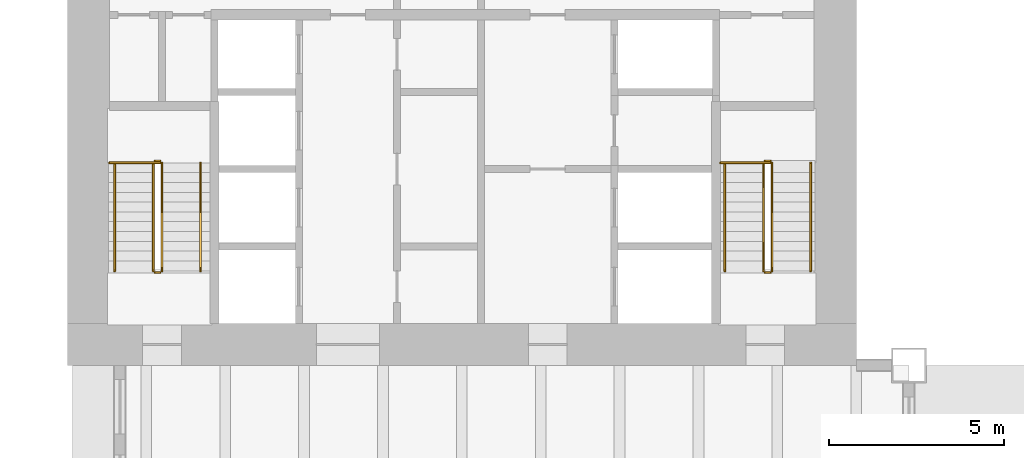
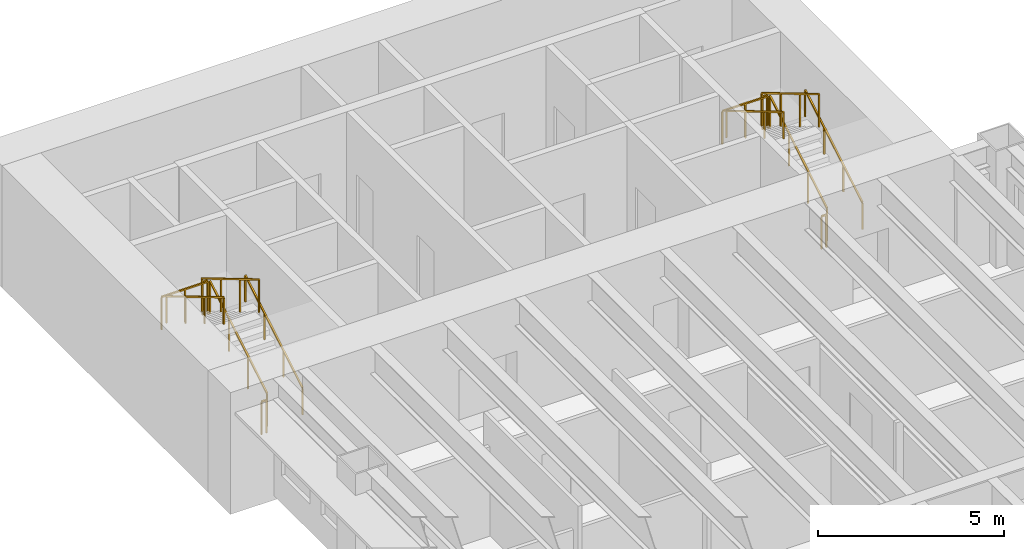
# One storey, part 16 of 16: 14 railings.
"""IFC4 building model written with IfcOpenShell, lengths in metres."""

from ifc_helpers import new_model, si_unit, direction, frame, origin, origin_2d, place, context, subcontext, project, spatial, rectangle, extrude, material, type_object, element, save


model = new_model("IFC4")

# Units and contexts
model_context = context("Model", 3, precision=1e-05, world=origin(), true_north=direction((0.0, 1.0)))
body_context = subcontext(model_context, "Body", "Model", "MODEL_VIEW")
ifc_project = project(units=[si_unit("LENGTHUNIT", "METRE"), si_unit("AREAUNIT", "SQUARE_METRE"), si_unit("VOLUMEUNIT", "CUBIC_METRE"), si_unit("PLANEANGLEUNIT", "RADIAN"), si_unit("MASSUNIT", "GRAM", prefix="KILO")], contexts=[model_context])

# Site, building, storey
site_placement = place(None, origin())
site = spatial("IfcSite", under=ifc_project, at=site_placement, CompositionType="ELEMENT")
building_placement = place(site_placement, origin())
building = spatial("IfcBuilding", under=site, at=building_placement, Name="Sennacour Bend Tower", CompositionType="ELEMENT")
storey_placement = place(building_placement, frame((0.0, 0.0, 95.0)))
storey = spatial("IfcBuildingStorey", under=building, at=storey_placement, Name="L21", CompositionType="ELEMENT", Elevation=95.0)

# Railings
ifc_material = material(Name="Stainless steel", Category="steel")
railing_type_1 = type_object("IfcRailingType", Name="RL-GUARD-1100", PredefinedType="GUARDRAIL", material=ifc_material)
railing_1_placement = place(storey_placement, frame((2.699951171875, 38.699951171875, 0.166748046875)))
element("IfcRailing", 1, at=railing_1_placement, inside=storey, type_object=railing_type_1, Name="L21 SB1 stair guard 1", PredefinedType="GUARDRAIL", context=body_context, shape_type="SweptSolid", body=[
    extrude(rectangle(XDim=0.048095703125, YDim=0.048095703125, at=origin_2d()), frame((0.0, 0.0, 1.076171875), z_axis=(0.0, 0.859308565015, 0.511457515432), x_axis=(-1.0, 0.0, 0.0)), (0.0, 0.0, 1.0), 3.58447265625),
    extrude(rectangle(XDim=0.0419921875, YDim=0.0419921875, at=origin_2d()), origin(), (0.0, 0.0, 1.0), 1.052001953125),
    extrude(rectangle(XDim=0.0419921875, YDim=0.0419921875, at=origin_2d()), frame((0.0, 1.026611328125, 0.611083984375)), (0.0, 0.0, 1.0), 1.052001953125),
    extrude(rectangle(XDim=0.0419921875, YDim=0.0419921875, at=origin_2d()), frame((0.0, 2.053466796875, 1.22216796875)), (0.0, 0.0, 1.0), 1.052001953125),
    extrude(rectangle(XDim=0.0419921875, YDim=0.0419921875, at=origin_2d()), frame((0.0, 3.080078125, 1.833251953125)), (0.0, 0.0, 1.0), 1.052001953125),
])
railing_2_placement = place(storey_placement, frame((2.64990234375, 41.830078125, 2.0)))
element("IfcRailing", 2, at=railing_2_placement, inside=storey, type_object=railing_type_1, Name="L21 SB1 stair guard 2", PredefinedType="GUARDRAIL", context=body_context, shape_type="SweptSolid", body=[
    extrude(rectangle(XDim=0.048095703125, YDim=0.048095703125, at=origin_2d()), frame((0.0, 0.0, 1.076171875), z_axis=(-1.0, 0.0, 0.0), x_axis=(0.0, -1.0, 0.0)), (0.0, 0.0, 1.0), 0.14990234375),
    extrude(rectangle(XDim=0.0419921875, YDim=0.0419921875, at=origin_2d()), origin(), (0.0, 0.0, 1.0), 1.052001953125),
    extrude(rectangle(XDim=0.0419921875, YDim=0.0419921875, at=origin_2d()), frame((-0.14990234375, 0.0, 0.0)), (0.0, 0.0, 1.0), 1.052001953125),
])
railing_3_placement = place(storey_placement, frame((2.449951171875, 41.780029296875, 2.166748046875)))
element("IfcRailing", 3, at=railing_3_placement, inside=storey, type_object=railing_type_1, Name="L21 SB1 stair guard 4", PredefinedType="GUARDRAIL", context=body_context, shape_type="SweptSolid", body=[
    extrude(rectangle(XDim=0.048095703125, YDim=0.048095703125, at=origin_2d()), frame((0.0, 0.0, 1.076171875), z_axis=(0.0, -0.859308565015, 0.511457515432), x_axis=(1.0, 0.0, 0.0)), (0.0, 0.0, 1.0), 3.58447265625),
    extrude(rectangle(XDim=0.0419921875, YDim=0.0419921875, at=origin_2d()), origin(), (0.0, 0.0, 1.0), 1.052001953125),
    extrude(rectangle(XDim=0.0419921875, YDim=0.0419921875, at=origin_2d()), frame((0.0, -1.026611328125, 0.611083984375)), (0.0, 0.0, 1.0), 1.052001953125),
    extrude(rectangle(XDim=0.0419921875, YDim=0.0419921875, at=origin_2d()), frame((0.0, -2.053466796875, 1.22216796875)), (0.0, 0.0, 1.0), 1.052001953125),
    extrude(rectangle(XDim=0.0419921875, YDim=0.0419921875, at=origin_2d()), frame((0.0, -3.080078125, 1.833251953125)), (0.0, 0.0, 1.0), 1.052001953125),
])
railing_4_placement = place(storey_placement, frame((2.64990234375, 38.64990234375, 0.0)))
element("IfcRailing", 4, at=railing_4_placement, inside=storey, type_object=railing_type_1, Name="L21 SB1 stair guard 5", PredefinedType="GUARDRAIL", context=body_context, shape_type="SweptSolid", body=[
    extrude(rectangle(XDim=0.048095703125, YDim=0.048095703125, at=origin_2d()), frame((0.0, 0.0, 1.076171875), z_axis=(-1.0, 0.0, 0.0), x_axis=(0.0, -1.0, 0.0)), (0.0, 0.0, 1.0), 0.14990234375),
    extrude(rectangle(XDim=0.0419921875, YDim=0.0419921875, at=origin_2d()), origin(), (0.0, 0.0, 1.0), 1.052001953125),
    extrude(rectangle(XDim=0.0419921875, YDim=0.0419921875, at=origin_2d()), frame((-0.14990234375, 0.0, 0.0)), (0.0, 0.0, 1.0), 1.052001953125),
])
railing_5_placement = place(storey_placement, frame((2.64990234375, 41.780029296875, 2.0)))
element("IfcRailing", 5, at=railing_5_placement, inside=storey, type_object=railing_type_1, Name="L21 SB1 landing edge guard 44", PredefinedType="GUARDRAIL", context=body_context, shape_type="SweptSolid", body=[
    extrude(rectangle(XDim=0.048095703125, YDim=0.048095703125, at=origin_2d()), frame((0.0, 0.0, 1.076171875), z_axis=(-1.0, 0.0, 0.0), x_axis=(0.0, -1.0, 0.0)), (0.0, 0.0, 1.0), 1.449951171875),
    extrude(rectangle(XDim=0.0419921875, YDim=0.0419921875, at=origin_2d()), origin(), (0.0, 0.0, 1.0), 1.052001953125),
    extrude(rectangle(XDim=0.0419921875, YDim=0.0419921875, at=origin_2d()), frame((-0.72509765625, 0.0, 0.0)), (0.0, 0.0, 1.0), 1.052001953125),
    extrude(rectangle(XDim=0.0419921875, YDim=0.0419921875, at=origin_2d()), frame((-1.449951171875, 0.0, 0.0)), (0.0, 0.0, 1.0), 1.052001953125),
])
railing_6_placement = place(storey_placement, frame((20.10009765625, 38.699951171875, 0.166748046875)))
element("IfcRailing", 6, at=railing_6_placement, inside=storey, type_object=railing_type_1, Name="L21 SB2 stair guard 1", PredefinedType="GUARDRAIL", context=body_context, shape_type="SweptSolid", body=[
    extrude(rectangle(XDim=0.048095703125, YDim=0.048095703125, at=origin_2d()), frame((0.0, 0.0, 1.076171875), z_axis=(0.0, 0.859308565015, 0.511457515432), x_axis=(-1.0, 0.0, 0.0)), (0.0, 0.0, 1.0), 3.58447265625),
    extrude(rectangle(XDim=0.0419921875, YDim=0.0419921875, at=origin_2d()), origin(), (0.0, 0.0, 1.0), 1.052001953125),
    extrude(rectangle(XDim=0.0419921875, YDim=0.0419921875, at=origin_2d()), frame((0.0, 1.026611328125, 0.611083984375)), (0.0, 0.0, 1.0), 1.052001953125),
    extrude(rectangle(XDim=0.0419921875, YDim=0.0419921875, at=origin_2d()), frame((0.0, 2.053466796875, 1.22216796875)), (0.0, 0.0, 1.0), 1.052001953125),
    extrude(rectangle(XDim=0.0419921875, YDim=0.0419921875, at=origin_2d()), frame((0.0, 3.080078125, 1.833251953125)), (0.0, 0.0, 1.0), 1.052001953125),
])
railing_7_placement = place(storey_placement, frame((20.050048828125, 41.830078125, 2.0)))
element("IfcRailing", 7, at=railing_7_placement, inside=storey, type_object=railing_type_1, Name="L21 SB2 stair guard 2", PredefinedType="GUARDRAIL", context=body_context, shape_type="SweptSolid", body=[
    extrude(rectangle(XDim=0.048095703125, YDim=0.048095703125, at=origin_2d()), frame((0.0, 0.0, 1.076171875), z_axis=(-1.0, 0.0, 0.0), x_axis=(0.0, -1.0, 0.0)), (0.0, 0.0, 1.0), 0.150146484375),
    extrude(rectangle(XDim=0.0419921875, YDim=0.0419921875, at=origin_2d()), origin(), (0.0, 0.0, 1.0), 1.052001953125),
    extrude(rectangle(XDim=0.0419921875, YDim=0.0419921875, at=origin_2d()), frame((-0.150146484375, 0.0, 0.0)), (0.0, 0.0, 1.0), 1.052001953125),
])
railing_8_placement = place(storey_placement, frame((19.85009765625, 41.780029296875, 2.166748046875)))
element("IfcRailing", 8, at=railing_8_placement, inside=storey, type_object=railing_type_1, Name="L21 SB2 stair guard 4", PredefinedType="GUARDRAIL", context=body_context, shape_type="SweptSolid", body=[
    extrude(rectangle(XDim=0.048095703125, YDim=0.048095703125, at=origin_2d()), frame((0.0, 0.0, 1.076171875), z_axis=(0.0, -0.859308565015, 0.511457515432), x_axis=(1.0, 0.0, 0.0)), (0.0, 0.0, 1.0), 3.58447265625),
    extrude(rectangle(XDim=0.0419921875, YDim=0.0419921875, at=origin_2d()), origin(), (0.0, 0.0, 1.0), 1.052001953125),
    extrude(rectangle(XDim=0.0419921875, YDim=0.0419921875, at=origin_2d()), frame((0.0, -1.026611328125, 0.611083984375)), (0.0, 0.0, 1.0), 1.052001953125),
    extrude(rectangle(XDim=0.0419921875, YDim=0.0419921875, at=origin_2d()), frame((0.0, -2.053466796875, 1.22216796875)), (0.0, 0.0, 1.0), 1.052001953125),
    extrude(rectangle(XDim=0.0419921875, YDim=0.0419921875, at=origin_2d()), frame((0.0, -3.080078125, 1.833251953125)), (0.0, 0.0, 1.0), 1.052001953125),
])
railing_9_placement = place(storey_placement, frame((20.050048828125, 38.64990234375, 0.0)))
element("IfcRailing", 9, at=railing_9_placement, inside=storey, type_object=railing_type_1, Name="L21 SB2 stair guard 5", PredefinedType="GUARDRAIL", context=body_context, shape_type="SweptSolid", body=[
    extrude(rectangle(XDim=0.048095703125, YDim=0.048095703125, at=origin_2d()), frame((0.0, 0.0, 1.076171875), z_axis=(-1.0, 0.0, 0.0), x_axis=(0.0, -1.0, 0.0)), (0.0, 0.0, 1.0), 0.150146484375),
    extrude(rectangle(XDim=0.0419921875, YDim=0.0419921875, at=origin_2d()), origin(), (0.0, 0.0, 1.0), 1.052001953125),
    extrude(rectangle(XDim=0.0419921875, YDim=0.0419921875, at=origin_2d()), frame((-0.150146484375, 0.0, 0.0)), (0.0, 0.0, 1.0), 1.052001953125),
])
railing_10_placement = place(storey_placement, frame((20.050048828125, 41.780029296875, 2.0)))
element("IfcRailing", 10, at=railing_10_placement, inside=storey, type_object=railing_type_1, Name="L21 SB2 landing edge guard 34", PredefinedType="GUARDRAIL", context=body_context, shape_type="SweptSolid", body=[
    extrude(rectangle(XDim=0.048095703125, YDim=0.048095703125, at=origin_2d()), frame((0.0, 0.0, 1.076171875), z_axis=(-1.0, 0.0, 0.0), x_axis=(0.0, -1.0, 0.0)), (0.0, 0.0, 1.0), 1.425048828125),
    extrude(rectangle(XDim=0.0419921875, YDim=0.0419921875, at=origin_2d()), origin(), (0.0, 0.0, 1.0), 1.052001953125),
    extrude(rectangle(XDim=0.0419921875, YDim=0.0419921875, at=origin_2d()), frame((-0.71240234375, 0.0, 0.0)), (0.0, 0.0, 1.0), 1.052001953125),
    extrude(rectangle(XDim=0.0419921875, YDim=0.0419921875, at=origin_2d()), frame((-1.425048828125, 0.0, 0.0)), (0.0, 0.0, 1.0), 1.052001953125),
])
railing_type_2 = type_object("IfcRailingType", Name="RL-HANDRAIL-900", PredefinedType="HANDRAIL", material=ifc_material)
railing_11_placement = place(storey_placement, frame((3.800048828125, 38.699951171875, 0.166748046875)))
element("IfcRailing", 11, at=railing_11_placement, inside=storey, type_object=railing_type_2, Name="L21 SB1 stair handrail 1", PredefinedType="HANDRAIL", context=body_context, shape_type="SweptSolid", body=[
    extrude(rectangle(XDim=0.048095703125, YDim=0.048095703125, at=origin_2d()), frame((0.0, 0.0, 0.8759765625), z_axis=(0.0, 0.859308565015, 0.511457515432), x_axis=(-1.0, 0.0, 0.0)), (0.0, 0.0, 1.0), 3.58447265625),
    extrude(rectangle(XDim=0.0419921875, YDim=0.0419921875, at=origin_2d()), origin(), (0.0, 0.0, 1.0), 0.851806640625),
    extrude(rectangle(XDim=0.0419921875, YDim=0.0419921875, at=origin_2d()), frame((0.0, 1.026611328125, 0.611083984375)), (0.0, 0.0, 1.0), 0.851806640625),
    extrude(rectangle(XDim=0.0419921875, YDim=0.0419921875, at=origin_2d()), frame((0.0, 2.053466796875, 1.22216796875)), (0.0, 0.0, 1.0), 0.851806640625),
    extrude(rectangle(XDim=0.0419921875, YDim=0.0419921875, at=origin_2d()), frame((0.0, 3.080078125, 1.833251953125)), (0.0, 0.0, 1.0), 0.851806640625),
])
railing_12_placement = place(storey_placement, frame((1.35009765625, 41.780029296875, 2.166748046875)))
element("IfcRailing", 12, at=railing_12_placement, inside=storey, type_object=railing_type_2, Name="L21 SB1 stair handrail 2", PredefinedType="HANDRAIL", context=body_context, shape_type="SweptSolid", body=[
    extrude(rectangle(XDim=0.048095703125, YDim=0.048095703125, at=origin_2d()), frame((0.0, 0.0, 0.8759765625), z_axis=(0.0, -0.859308565015, 0.511457515432), x_axis=(1.0, 0.0, 0.0)), (0.0, 0.0, 1.0), 3.58447265625),
    extrude(rectangle(XDim=0.0419921875, YDim=0.0419921875, at=origin_2d()), origin(), (0.0, 0.0, 1.0), 0.851806640625),
    extrude(rectangle(XDim=0.0419921875, YDim=0.0419921875, at=origin_2d()), frame((0.0, -1.026611328125, 0.611083984375)), (0.0, 0.0, 1.0), 0.851806640625),
    extrude(rectangle(XDim=0.0419921875, YDim=0.0419921875, at=origin_2d()), frame((0.0, -2.053466796875, 1.22216796875)), (0.0, 0.0, 1.0), 0.851806640625),
    extrude(rectangle(XDim=0.0419921875, YDim=0.0419921875, at=origin_2d()), frame((0.0, -3.080078125, 1.833251953125)), (0.0, 0.0, 1.0), 0.851806640625),
])
railing_13_placement = place(storey_placement, frame((21.199951171875, 38.699951171875, 0.166748046875)))
element("IfcRailing", 13, at=railing_13_placement, inside=storey, type_object=railing_type_2, Name="L21 SB2 stair handrail 1", PredefinedType="HANDRAIL", context=body_context, shape_type="SweptSolid", body=[
    extrude(rectangle(XDim=0.048095703125, YDim=0.048095703125, at=origin_2d()), frame((0.0, 0.0, 0.8759765625), z_axis=(0.0, 0.859308565015, 0.511457515432), x_axis=(-1.0, 0.0, 0.0)), (0.0, 0.0, 1.0), 3.58447265625),
    extrude(rectangle(XDim=0.0419921875, YDim=0.0419921875, at=origin_2d()), origin(), (0.0, 0.0, 1.0), 0.851806640625),
    extrude(rectangle(XDim=0.0419921875, YDim=0.0419921875, at=origin_2d()), frame((0.0, 1.026611328125, 0.611083984375)), (0.0, 0.0, 1.0), 0.851806640625),
    extrude(rectangle(XDim=0.0419921875, YDim=0.0419921875, at=origin_2d()), frame((0.0, 2.053466796875, 1.22216796875)), (0.0, 0.0, 1.0), 0.851806640625),
    extrude(rectangle(XDim=0.0419921875, YDim=0.0419921875, at=origin_2d()), frame((0.0, 3.080078125, 1.833251953125)), (0.0, 0.0, 1.0), 0.851806640625),
])
railing_14_placement = place(storey_placement, frame((18.75, 41.780029296875, 2.166748046875)))
element("IfcRailing", 14, at=railing_14_placement, inside=storey, type_object=railing_type_2, Name="L21 SB2 stair handrail 2", PredefinedType="HANDRAIL", context=body_context, shape_type="SweptSolid", body=[
    extrude(rectangle(XDim=0.048095703125, YDim=0.048095703125, at=origin_2d()), frame((0.0, 0.0, 0.8759765625), z_axis=(0.0, -0.859308565015, 0.511457515432), x_axis=(1.0, 0.0, 0.0)), (0.0, 0.0, 1.0), 3.58447265625),
    extrude(rectangle(XDim=0.0419921875, YDim=0.0419921875, at=origin_2d()), origin(), (0.0, 0.0, 1.0), 0.851806640625),
    extrude(rectangle(XDim=0.0419921875, YDim=0.0419921875, at=origin_2d()), frame((0.0, -1.026611328125, 0.611083984375)), (0.0, 0.0, 1.0), 0.851806640625),
    extrude(rectangle(XDim=0.0419921875, YDim=0.0419921875, at=origin_2d()), frame((0.0, -2.053466796875, 1.22216796875)), (0.0, 0.0, 1.0), 0.851806640625),
    extrude(rectangle(XDim=0.0419921875, YDim=0.0419921875, at=origin_2d()), frame((0.0, -3.080078125, 1.833251953125)), (0.0, 0.0, 1.0), 0.851806640625),
])

save(model, "model.ifc")
